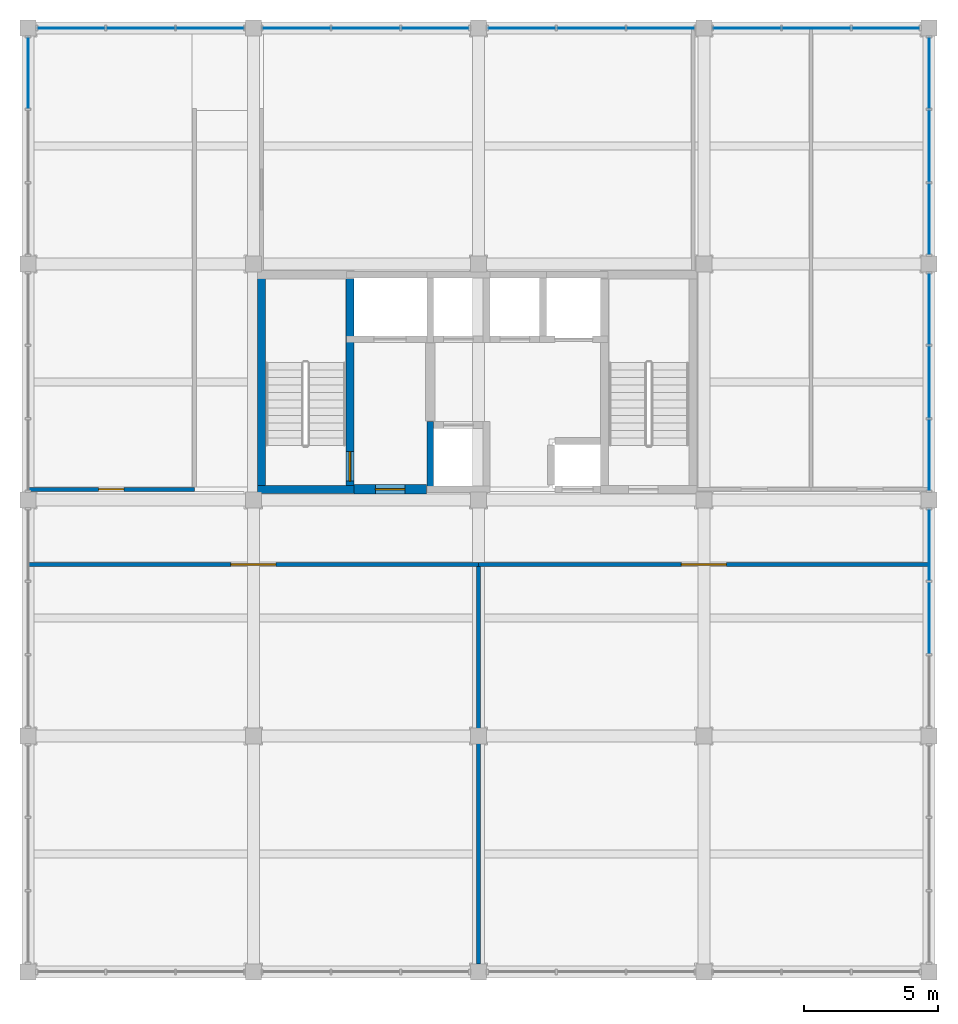
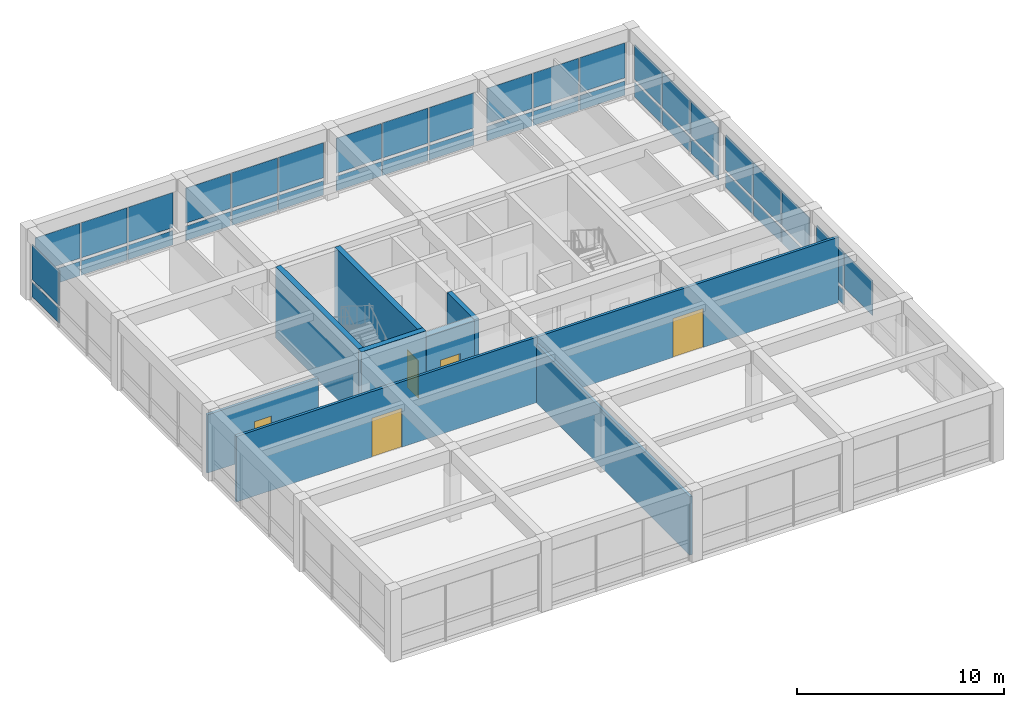
# One storey, part 9 of 14: 41 plates, 9 walls, 5 doors, 5 openings, 8 elements without a shape of their own.
"""IFC4 building model written with IfcOpenShell, lengths in metres."""

from ifc_helpers import new_model, si_unit, direction, frame, frame_2d, origin, origin_2d, place, context, subcontext, project, spatial, rectangle, extrude, material, layer, layer_set, type_object, element, fill, aggregate, save


model = new_model("IFC4")

# Units and contexts
model_context = context("Model", 3, precision=1e-05, world=origin(), true_north=direction((0.0, 1.0)))
body_context = subcontext(model_context, "Body", "Model", "MODEL_VIEW")
ifc_project = project(units=[si_unit("LENGTHUNIT", "METRE"), si_unit("AREAUNIT", "SQUARE_METRE"), si_unit("VOLUMEUNIT", "CUBIC_METRE"), si_unit("PLANEANGLEUNIT", "RADIAN"), si_unit("MASSUNIT", "GRAM", prefix="KILO")], contexts=[model_context])

# Site, building, storey
site_placement = place(None, origin())
site = spatial("IfcSite", under=ifc_project, at=site_placement, CompositionType="ELEMENT")
building_placement = place(site_placement, origin())
building = spatial("IfcBuilding", under=site, at=building_placement, Name="Kemercrest Conservatory and Botanical Centre", CompositionType="ELEMENT")
storey_placement = place(building_placement, frame((0.0, 0.0, 63.800048828125)))
storey = spatial("IfcBuildingStorey", under=building, at=storey_placement, Name="L16", CompositionType="ELEMENT", Elevation=63.800048828125)

# Curtain wall, plates
ifc_material_1 = material(Name="Thermally broken aluminium and triple low-e glazing", Category="aluminium")
curtain_wall_type_1 = type_object("IfcCurtainWallType", Name="CW-17", PredefinedType="USERDEFINED", material=ifc_material_1)
curtain_wall_1_placement = place(storey_placement, origin())
curtain_wall_1 = element("IfcCurtainWall", 1, at=curtain_wall_1_placement, inside=storey, type_object=curtain_wall_type_1, Name="Unitised curtain wall CW-17 (CW:L16:V4-166)", ObjectType="UNITISED CURTAIN WALL", PredefinedType="USERDEFINED")
ifc_material_2 = material(Name="Triple low-e argon insulated glazing unit", Category="glass")
ifc_layer_1 = layer(ifc_material_2, 0.035888671875)
ifc_layer_set_1 = layer_set([ifc_layer_1], Name="Triple low-e argon insulated glazing unit")
plate_type = type_object("IfcPlateType", Name="CW-PNL036", PredefinedType="CURTAIN_PANEL", material=ifc_layer_set_1)
plate_1_placement = place(storey_placement, frame((176.0, 100.39990234375, 1.2099609375), z_axis=(0.0, 0.0, 1.0), x_axis=(0.0, 1.0, 0.0)))
plate_1 = element("IfcPlate", 2, at=plate_1_placement, type_object=plate_type, Name="CW-17 panel 2.2", PredefinedType="CURTAIN_PANEL", context=body_context, shape_type="SweptSolid", body=[
    extrude(rectangle(XDim=2.671630859375, YDim=0.035888671875, at=origin_2d()), origin(), (0.0, 0.0, 1.0), 2.06494140625),
])
plate_2_placement = place(storey_placement, frame((176.0, 103.120361328125, 0.179931640625), z_axis=(0.0, 0.0, 1.0), x_axis=(0.0, 1.0, 0.0)))
plate_2 = element("IfcPlate", 3, at=plate_2_placement, type_object=plate_type, Name="CW-17 panel 3.1", PredefinedType="CURTAIN_PANEL", context=body_context, shape_type="SweptSolid", body=[
    extrude(rectangle(XDim=2.63916015625, YDim=0.035888671875, at=origin_2d()), origin(), (0.0, 0.0, 1.0), 0.85009765625),
])
plate_3_placement = place(storey_placement, frame((176.0, 103.120361328125, 1.2099609375), z_axis=(0.0, 0.0, 1.0), x_axis=(0.0, 1.0, 0.0)))
plate_3 = element("IfcPlate", 4, at=plate_3_placement, type_object=plate_type, Name="CW-17 panel 3.2", PredefinedType="CURTAIN_PANEL", context=body_context, shape_type="SweptSolid", body=[
    extrude(rectangle(XDim=2.63916015625, YDim=0.035888671875, at=origin_2d()), origin(), (0.0, 0.0, 1.0), 2.06494140625),
])
aggregate(curtain_wall_1, [plate_1, plate_2, plate_3])

curtain_wall_type_2 = type_object("IfcCurtainWallType", Name="CW-18", PredefinedType="USERDEFINED", material=ifc_material_1)
curtain_wall_2_placement = place(storey_placement, origin())
curtain_wall_2 = element("IfcCurtainWall", 5, at=curtain_wall_2_placement, inside=storey, type_object=curtain_wall_type_2, Name="Unitised curtain wall CW-18 (CW:L16:V4-167)", ObjectType="UNITISED CURTAIN WALL", PredefinedType="USERDEFINED")
plate_4_placement = place(storey_placement, frame((176.0, 106.4794921875, 0.179931640625), z_axis=(0.0, 0.0, 1.0), x_axis=(0.0, 1.0, 0.0)))
plate_4 = element("IfcPlate", 6, at=plate_4_placement, type_object=plate_type, Name="CW-18 panel 1.1", PredefinedType="CURTAIN_PANEL", context=body_context, shape_type="SweptSolid", body=[
    extrude(rectangle(XDim=2.63916015625, YDim=0.035888671875, at=origin_2d()), origin(), (0.0, 0.0, 1.0), 0.85009765625),
])
plate_5_placement = place(storey_placement, frame((176.0, 106.4794921875, 1.2099609375), z_axis=(0.0, 0.0, 1.0), x_axis=(0.0, 1.0, 0.0)))
plate_5 = element("IfcPlate", 7, at=plate_5_placement, type_object=plate_type, Name="CW-18 panel 1.2", PredefinedType="CURTAIN_PANEL", context=body_context, shape_type="SweptSolid", body=[
    extrude(rectangle(XDim=2.63916015625, YDim=0.035888671875, at=origin_2d()), origin(), (0.0, 0.0, 1.0), 2.06494140625),
])
plate_6_placement = place(storey_placement, frame((176.0, 109.199951171875, 0.179931640625), z_axis=(0.0, 0.0, 1.0), x_axis=(0.0, 1.0, 0.0)))
plate_6 = element("IfcPlate", 8, at=plate_6_placement, type_object=plate_type, Name="CW-18 panel 2.1", PredefinedType="CURTAIN_PANEL", context=body_context, shape_type="SweptSolid", body=[
    extrude(rectangle(XDim=2.671630859375, YDim=0.035888671875, at=origin_2d()), origin(), (0.0, 0.0, 1.0), 0.85009765625),
])
plate_7_placement = place(storey_placement, frame((176.0, 109.199951171875, 1.2099609375), z_axis=(0.0, 0.0, 1.0), x_axis=(0.0, 1.0, 0.0)))
plate_7 = element("IfcPlate", 9, at=plate_7_placement, type_object=plate_type, Name="CW-18 panel 2.2", PredefinedType="CURTAIN_PANEL", context=body_context, shape_type="SweptSolid", body=[
    extrude(rectangle(XDim=2.671630859375, YDim=0.035888671875, at=origin_2d()), origin(), (0.0, 0.0, 1.0), 2.06494140625),
])
plate_8_placement = place(storey_placement, frame((176.0, 111.92041015625, 0.179931640625), z_axis=(0.0, 0.0, 1.0), x_axis=(0.0, 1.0, 0.0)))
plate_8 = element("IfcPlate", 10, at=plate_8_placement, type_object=plate_type, Name="CW-18 panel 3.1", PredefinedType="CURTAIN_PANEL", context=body_context, shape_type="SweptSolid", body=[
    extrude(rectangle(XDim=2.63916015625, YDim=0.035888671875, at=origin_2d()), origin(), (0.0, 0.0, 1.0), 0.85009765625),
])
plate_9_placement = place(storey_placement, frame((176.0, 111.92041015625, 1.2099609375), z_axis=(0.0, 0.0, 1.0), x_axis=(0.0, 1.0, 0.0)))
plate_9 = element("IfcPlate", 11, at=plate_9_placement, type_object=plate_type, Name="CW-18 panel 3.2", PredefinedType="CURTAIN_PANEL", context=body_context, shape_type="SweptSolid", body=[
    extrude(rectangle(XDim=2.63916015625, YDim=0.035888671875, at=origin_2d()), origin(), (0.0, 0.0, 1.0), 2.06494140625),
])
aggregate(curtain_wall_2, [plate_4, plate_5, plate_6, plate_7, plate_8, plate_9])

curtain_wall_type_3 = type_object("IfcCurtainWallType", Name="CW-19", PredefinedType="USERDEFINED", material=ifc_material_1)
curtain_wall_3_placement = place(storey_placement, origin())
curtain_wall_3 = element("IfcCurtainWall", 12, at=curtain_wall_3_placement, inside=storey, type_object=curtain_wall_type_3, Name="Unitised curtain wall CW-19 (CW:L16:V4-168)", ObjectType="UNITISED CURTAIN WALL", PredefinedType="USERDEFINED")
plate_10_placement = place(storey_placement, frame((176.0, 115.279541015625, 0.179931640625), z_axis=(0.0, 0.0, 1.0), x_axis=(0.0, 1.0, 0.0)))
plate_10 = element("IfcPlate", 13, at=plate_10_placement, type_object=plate_type, Name="CW-19 panel 1.1", PredefinedType="CURTAIN_PANEL", context=body_context, shape_type="SweptSolid", body=[
    extrude(rectangle(XDim=2.63916015625, YDim=0.035888671875, at=origin_2d()), origin(), (0.0, 0.0, 1.0), 0.85009765625),
])
plate_11_placement = place(storey_placement, frame((176.0, 115.279541015625, 1.2099609375), z_axis=(0.0, 0.0, 1.0), x_axis=(0.0, 1.0, 0.0)))
plate_11 = element("IfcPlate", 14, at=plate_11_placement, type_object=plate_type, Name="CW-19 panel 1.2", PredefinedType="CURTAIN_PANEL", context=body_context, shape_type="SweptSolid", body=[
    extrude(rectangle(XDim=2.63916015625, YDim=0.035888671875, at=origin_2d()), origin(), (0.0, 0.0, 1.0), 2.06494140625),
])
plate_12_placement = place(storey_placement, frame((176.0, 118.0, 0.179931640625), z_axis=(0.0, 0.0, 1.0), x_axis=(0.0, 1.0, 0.0)))
plate_12 = element("IfcPlate", 15, at=plate_12_placement, type_object=plate_type, Name="CW-19 panel 2.1", PredefinedType="CURTAIN_PANEL", context=body_context, shape_type="SweptSolid", body=[
    extrude(rectangle(XDim=2.671630859375, YDim=0.035888671875, at=origin_2d()), origin(), (0.0, 0.0, 1.0), 0.85009765625),
])
plate_13_placement = place(storey_placement, frame((176.0, 118.0, 1.2099609375), z_axis=(0.0, 0.0, 1.0), x_axis=(0.0, 1.0, 0.0)))
plate_13 = element("IfcPlate", 16, at=plate_13_placement, type_object=plate_type, Name="CW-19 panel 2.2", PredefinedType="CURTAIN_PANEL", context=body_context, shape_type="SweptSolid", body=[
    extrude(rectangle(XDim=2.671630859375, YDim=0.035888671875, at=origin_2d()), origin(), (0.0, 0.0, 1.0), 2.06494140625),
])
plate_14_placement = place(storey_placement, frame((176.0, 120.720458984375, 0.179931640625), z_axis=(0.0, 0.0, 1.0), x_axis=(0.0, 1.0, 0.0)))
plate_14 = element("IfcPlate", 17, at=plate_14_placement, type_object=plate_type, Name="CW-19 panel 3.1", PredefinedType="CURTAIN_PANEL", context=body_context, shape_type="SweptSolid", body=[
    extrude(rectangle(XDim=2.63916015625, YDim=0.035888671875, at=origin_2d()), origin(), (0.0, 0.0, 1.0), 0.85009765625),
])
plate_15_placement = place(storey_placement, frame((176.0, 120.720458984375, 1.2099609375), z_axis=(0.0, 0.0, 1.0), x_axis=(0.0, 1.0, 0.0)))
plate_15 = element("IfcPlate", 18, at=plate_15_placement, type_object=plate_type, Name="CW-19 panel 3.2", PredefinedType="CURTAIN_PANEL", context=body_context, shape_type="SweptSolid", body=[
    extrude(rectangle(XDim=2.63916015625, YDim=0.035888671875, at=origin_2d()), origin(), (0.0, 0.0, 1.0), 2.06494140625),
])
aggregate(curtain_wall_3, [plate_10, plate_11, plate_12, plate_13, plate_14, plate_15])

curtain_wall_type_4 = type_object("IfcCurtainWallType", Name="CW-20", PredefinedType="USERDEFINED", material=ifc_material_1)
curtain_wall_4_placement = place(storey_placement, origin())
curtain_wall_4 = element("IfcCurtainWall", 19, at=curtain_wall_4_placement, inside=storey, type_object=curtain_wall_type_4, Name="Unitised curtain wall CW-20 (CW:L16:V4-169)", ObjectType="UNITISED CURTAIN WALL", PredefinedType="USERDEFINED")
plate_16_placement = place(storey_placement, frame((174.386962890625, 122.39990234375, 0.179931640625), z_axis=(0.0, 0.0, 1.0), x_axis=(-1.0, 0.0, 0.0)))
plate_16 = element("IfcPlate", 20, at=plate_16_placement, type_object=plate_type, Name="CW-20 panel 1.1", PredefinedType="CURTAIN_PANEL", context=body_context, shape_type="SweptSolid", body=[
    extrude(rectangle(XDim=2.505859375, YDim=0.035888671875, at=origin_2d()), origin(), (0.0, 0.0, 1.0), 0.85009765625),
])
plate_17_placement = place(storey_placement, frame((174.386962890625, 122.39990234375, 1.2099609375), z_axis=(0.0, 0.0, 1.0), x_axis=(-1.0, 0.0, 0.0)))
plate_17 = element("IfcPlate", 21, at=plate_17_placement, type_object=plate_type, Name="CW-20 panel 1.2", PredefinedType="CURTAIN_PANEL", context=body_context, shape_type="SweptSolid", body=[
    extrude(rectangle(XDim=2.505859375, YDim=0.035888671875, at=origin_2d()), origin(), (0.0, 0.0, 1.0), 2.06494140625),
])
plate_18_placement = place(storey_placement, frame((171.800048828125, 122.39990234375, 0.179931640625), z_axis=(0.0, 0.0, 1.0), x_axis=(-1.0, 0.0, 0.0)))
plate_18 = element("IfcPlate", 22, at=plate_18_placement, type_object=plate_type, Name="CW-20 panel 2.1", PredefinedType="CURTAIN_PANEL", context=body_context, shape_type="SweptSolid", body=[
    extrude(rectangle(XDim=2.538330078125, YDim=0.035888671875, at=origin_2d()), origin(), (0.0, 0.0, 1.0), 0.85009765625),
])
plate_19_placement = place(storey_placement, frame((171.800048828125, 122.39990234375, 1.2099609375), z_axis=(0.0, 0.0, 1.0), x_axis=(-1.0, 0.0, 0.0)))
plate_19 = element("IfcPlate", 23, at=plate_19_placement, type_object=plate_type, Name="CW-20 panel 2.2", PredefinedType="CURTAIN_PANEL", context=body_context, shape_type="SweptSolid", body=[
    extrude(rectangle(XDim=2.538330078125, YDim=0.035888671875, at=origin_2d()), origin(), (0.0, 0.0, 1.0), 2.06494140625),
])
plate_20_placement = place(storey_placement, frame((169.212890625, 122.39990234375, 0.179931640625), z_axis=(0.0, 0.0, 1.0), x_axis=(-1.0, 0.0, 0.0)))
plate_20 = element("IfcPlate", 24, at=plate_20_placement, type_object=plate_type, Name="CW-20 panel 3.1", PredefinedType="CURTAIN_PANEL", context=body_context, shape_type="SweptSolid", body=[
    extrude(rectangle(XDim=2.505859375, YDim=0.035888671875, at=origin_2d()), origin(), (0.0, 0.0, 1.0), 0.85009765625),
])
plate_21_placement = place(storey_placement, frame((169.212890625, 122.39990234375, 1.2099609375), z_axis=(0.0, 0.0, 1.0), x_axis=(-1.0, 0.0, 0.0)))
plate_21 = element("IfcPlate", 25, at=plate_21_placement, type_object=plate_type, Name="CW-20 panel 3.2", PredefinedType="CURTAIN_PANEL", context=body_context, shape_type="SweptSolid", body=[
    extrude(rectangle(XDim=2.505859375, YDim=0.035888671875, at=origin_2d()), origin(), (0.0, 0.0, 1.0), 2.06494140625),
])
aggregate(curtain_wall_4, [plate_16, plate_17, plate_18, plate_19, plate_20, plate_21])

curtain_wall_type_5 = type_object("IfcCurtainWallType", Name="CW-21", PredefinedType="USERDEFINED", material=ifc_material_1)
curtain_wall_5_placement = place(storey_placement, origin())
curtain_wall_5 = element("IfcCurtainWall", 26, at=curtain_wall_5_placement, inside=storey, type_object=curtain_wall_type_5, Name="Unitised curtain wall CW-21 (CW:L16:V4-170)", ObjectType="UNITISED CURTAIN WALL", PredefinedType="USERDEFINED")
plate_22_placement = place(storey_placement, frame((165.987060546875, 122.39990234375, 0.179931640625), z_axis=(0.0, 0.0, 1.0), x_axis=(-1.0, 0.0, 0.0)))
plate_22 = element("IfcPlate", 27, at=plate_22_placement, type_object=plate_type, Name="CW-21 panel 1.1", PredefinedType="CURTAIN_PANEL", context=body_context, shape_type="SweptSolid", body=[
    extrude(rectangle(XDim=2.505859375, YDim=0.035888671875, at=origin_2d()), origin(), (0.0, 0.0, 1.0), 0.85009765625),
])
plate_23_placement = place(storey_placement, frame((165.987060546875, 122.39990234375, 1.2099609375), z_axis=(0.0, 0.0, 1.0), x_axis=(-1.0, 0.0, 0.0)))
plate_23 = element("IfcPlate", 28, at=plate_23_placement, type_object=plate_type, Name="CW-21 panel 1.2", PredefinedType="CURTAIN_PANEL", context=body_context, shape_type="SweptSolid", body=[
    extrude(rectangle(XDim=2.505859375, YDim=0.035888671875, at=origin_2d()), origin(), (0.0, 0.0, 1.0), 2.06494140625),
])
plate_24_placement = place(storey_placement, frame((163.39990234375, 122.39990234375, 0.179931640625), z_axis=(0.0, 0.0, 1.0), x_axis=(-1.0, 0.0, 0.0)))
plate_24 = element("IfcPlate", 29, at=plate_24_placement, type_object=plate_type, Name="CW-21 panel 2.1", PredefinedType="CURTAIN_PANEL", context=body_context, shape_type="SweptSolid", body=[
    extrude(rectangle(XDim=2.538330078125, YDim=0.035888671875, at=origin_2d()), origin(), (0.0, 0.0, 1.0), 0.85009765625),
])
plate_25_placement = place(storey_placement, frame((163.39990234375, 122.39990234375, 1.2099609375), z_axis=(0.0, 0.0, 1.0), x_axis=(-1.0, 0.0, 0.0)))
plate_25 = element("IfcPlate", 30, at=plate_25_placement, type_object=plate_type, Name="CW-21 panel 2.2", PredefinedType="CURTAIN_PANEL", context=body_context, shape_type="SweptSolid", body=[
    extrude(rectangle(XDim=2.538330078125, YDim=0.035888671875, at=origin_2d()), origin(), (0.0, 0.0, 1.0), 2.06494140625),
])
plate_26_placement = place(storey_placement, frame((160.81298828125, 122.39990234375, 0.179931640625), z_axis=(0.0, 0.0, 1.0), x_axis=(-1.0, 0.0, 0.0)))
plate_26 = element("IfcPlate", 31, at=plate_26_placement, type_object=plate_type, Name="CW-21 panel 3.1", PredefinedType="CURTAIN_PANEL", context=body_context, shape_type="SweptSolid", body=[
    extrude(rectangle(XDim=2.505859375, YDim=0.035888671875, at=origin_2d()), origin(), (0.0, 0.0, 1.0), 0.85009765625),
])
plate_27_placement = place(storey_placement, frame((160.81298828125, 122.39990234375, 1.2099609375), z_axis=(0.0, 0.0, 1.0), x_axis=(-1.0, 0.0, 0.0)))
plate_27 = element("IfcPlate", 32, at=plate_27_placement, type_object=plate_type, Name="CW-21 panel 3.2", PredefinedType="CURTAIN_PANEL", context=body_context, shape_type="SweptSolid", body=[
    extrude(rectangle(XDim=2.505859375, YDim=0.035888671875, at=origin_2d()), origin(), (0.0, 0.0, 1.0), 2.06494140625),
])
aggregate(curtain_wall_5, [plate_22, plate_23, plate_24, plate_25, plate_26, plate_27])

curtain_wall_type_6 = type_object("IfcCurtainWallType", Name="CW-22", PredefinedType="USERDEFINED", material=ifc_material_1)
curtain_wall_6_placement = place(storey_placement, origin())
curtain_wall_6 = element("IfcCurtainWall", 33, at=curtain_wall_6_placement, inside=storey, type_object=curtain_wall_type_6, Name="Unitised curtain wall CW-22 (CW:L16:V4-171)", ObjectType="UNITISED CURTAIN WALL", PredefinedType="USERDEFINED")
plate_28_placement = place(storey_placement, frame((157.587158203125, 122.39990234375, 0.179931640625), z_axis=(0.0, 0.0, 1.0), x_axis=(-1.0, 0.0, 0.0)))
plate_28 = element("IfcPlate", 34, at=plate_28_placement, type_object=plate_type, Name="CW-22 panel 1.1", PredefinedType="CURTAIN_PANEL", context=body_context, shape_type="SweptSolid", body=[
    extrude(rectangle(XDim=2.505859375, YDim=0.035888671875, at=origin_2d()), origin(), (0.0, 0.0, 1.0), 0.85009765625),
])
plate_29_placement = place(storey_placement, frame((157.587158203125, 122.39990234375, 1.2099609375), z_axis=(0.0, 0.0, 1.0), x_axis=(-1.0, 0.0, 0.0)))
plate_29 = element("IfcPlate", 35, at=plate_29_placement, type_object=plate_type, Name="CW-22 panel 1.2", PredefinedType="CURTAIN_PANEL", context=body_context, shape_type="SweptSolid", body=[
    extrude(rectangle(XDim=2.505859375, YDim=0.035888671875, at=origin_2d()), origin(), (0.0, 0.0, 1.0), 2.06494140625),
])
plate_30_placement = place(storey_placement, frame((155.0, 122.39990234375, 0.179931640625), z_axis=(0.0, 0.0, 1.0), x_axis=(-1.0, 0.0, 0.0)))
plate_30 = element("IfcPlate", 36, at=plate_30_placement, type_object=plate_type, Name="CW-22 panel 2.1", PredefinedType="CURTAIN_PANEL", context=body_context, shape_type="SweptSolid", body=[
    extrude(rectangle(XDim=2.538330078125, YDim=0.035888671875, at=origin_2d()), origin(), (0.0, 0.0, 1.0), 0.85009765625),
])
plate_31_placement = place(storey_placement, frame((155.0, 122.39990234375, 1.2099609375), z_axis=(0.0, 0.0, 1.0), x_axis=(-1.0, 0.0, 0.0)))
plate_31 = element("IfcPlate", 37, at=plate_31_placement, type_object=plate_type, Name="CW-22 panel 2.2", PredefinedType="CURTAIN_PANEL", context=body_context, shape_type="SweptSolid", body=[
    extrude(rectangle(XDim=2.538330078125, YDim=0.035888671875, at=origin_2d()), origin(), (0.0, 0.0, 1.0), 2.06494140625),
])
plate_32_placement = place(storey_placement, frame((152.412841796875, 122.39990234375, 0.179931640625), z_axis=(0.0, 0.0, 1.0), x_axis=(-1.0, 0.0, 0.0)))
plate_32 = element("IfcPlate", 38, at=plate_32_placement, type_object=plate_type, Name="CW-22 panel 3.1", PredefinedType="CURTAIN_PANEL", context=body_context, shape_type="SweptSolid", body=[
    extrude(rectangle(XDim=2.505859375, YDim=0.035888671875, at=origin_2d()), origin(), (0.0, 0.0, 1.0), 0.85009765625),
])
plate_33_placement = place(storey_placement, frame((152.412841796875, 122.39990234375, 1.2099609375), z_axis=(0.0, 0.0, 1.0), x_axis=(-1.0, 0.0, 0.0)))
plate_33 = element("IfcPlate", 39, at=plate_33_placement, type_object=plate_type, Name="CW-22 panel 3.2", PredefinedType="CURTAIN_PANEL", context=body_context, shape_type="SweptSolid", body=[
    extrude(rectangle(XDim=2.505859375, YDim=0.035888671875, at=origin_2d()), origin(), (0.0, 0.0, 1.0), 2.06494140625),
])
aggregate(curtain_wall_6, [plate_28, plate_29, plate_30, plate_31, plate_32, plate_33])

curtain_wall_type_7 = type_object("IfcCurtainWallType", Name="CW-23", PredefinedType="USERDEFINED", material=ifc_material_1)
curtain_wall_7_placement = place(storey_placement, origin())
curtain_wall_7 = element("IfcCurtainWall", 40, at=curtain_wall_7_placement, inside=storey, type_object=curtain_wall_type_7, Name="Unitised curtain wall CW-23 (CW:L16:V4-172)", ObjectType="UNITISED CURTAIN WALL", PredefinedType="USERDEFINED")
plate_34_placement = place(storey_placement, frame((149.18701171875, 122.39990234375, 0.179931640625), z_axis=(0.0, 0.0, 1.0), x_axis=(-1.0, 0.0, 0.0)))
plate_34 = element("IfcPlate", 41, at=plate_34_placement, type_object=plate_type, Name="CW-23 panel 1.1", PredefinedType="CURTAIN_PANEL", context=body_context, shape_type="SweptSolid", body=[
    extrude(rectangle(XDim=2.505859375, YDim=0.035888671875, at=origin_2d()), origin(), (0.0, 0.0, 1.0), 0.85009765625),
])
plate_35_placement = place(storey_placement, frame((149.18701171875, 122.39990234375, 1.2099609375), z_axis=(0.0, 0.0, 1.0), x_axis=(-1.0, 0.0, 0.0)))
plate_35 = element("IfcPlate", 42, at=plate_35_placement, type_object=plate_type, Name="CW-23 panel 1.2", PredefinedType="CURTAIN_PANEL", context=body_context, shape_type="SweptSolid", body=[
    extrude(rectangle(XDim=2.505859375, YDim=0.035888671875, at=origin_2d()), origin(), (0.0, 0.0, 1.0), 2.06494140625),
])
plate_36_placement = place(storey_placement, frame((146.60009765625, 122.39990234375, 0.179931640625), z_axis=(0.0, 0.0, 1.0), x_axis=(-1.0, 0.0, 0.0)))
plate_36 = element("IfcPlate", 43, at=plate_36_placement, type_object=plate_type, Name="CW-23 panel 2.1", PredefinedType="CURTAIN_PANEL", context=body_context, shape_type="SweptSolid", body=[
    extrude(rectangle(XDim=2.538330078125, YDim=0.035888671875, at=origin_2d()), origin(), (0.0, 0.0, 1.0), 0.85009765625),
])
plate_37_placement = place(storey_placement, frame((146.60009765625, 122.39990234375, 1.2099609375), z_axis=(0.0, 0.0, 1.0), x_axis=(-1.0, 0.0, 0.0)))
plate_37 = element("IfcPlate", 44, at=plate_37_placement, type_object=plate_type, Name="CW-23 panel 2.2", PredefinedType="CURTAIN_PANEL", context=body_context, shape_type="SweptSolid", body=[
    extrude(rectangle(XDim=2.538330078125, YDim=0.035888671875, at=origin_2d()), origin(), (0.0, 0.0, 1.0), 2.06494140625),
])
plate_38_placement = place(storey_placement, frame((144.012939453125, 122.39990234375, 0.179931640625), z_axis=(0.0, 0.0, 1.0), x_axis=(-1.0, 0.0, 0.0)))
plate_38 = element("IfcPlate", 45, at=plate_38_placement, type_object=plate_type, Name="CW-23 panel 3.1", PredefinedType="CURTAIN_PANEL", context=body_context, shape_type="SweptSolid", body=[
    extrude(rectangle(XDim=2.505859375, YDim=0.035888671875, at=origin_2d()), origin(), (0.0, 0.0, 1.0), 0.85009765625),
])
plate_39_placement = place(storey_placement, frame((144.012939453125, 122.39990234375, 1.2099609375), z_axis=(0.0, 0.0, 1.0), x_axis=(-1.0, 0.0, 0.0)))
plate_39 = element("IfcPlate", 46, at=plate_39_placement, type_object=plate_type, Name="CW-23 panel 3.2", PredefinedType="CURTAIN_PANEL", context=body_context, shape_type="SweptSolid", body=[
    extrude(rectangle(XDim=2.505859375, YDim=0.035888671875, at=origin_2d()), origin(), (0.0, 0.0, 1.0), 2.06494140625),
])
aggregate(curtain_wall_7, [plate_34, plate_35, plate_36, plate_37, plate_38, plate_39])

curtain_wall_type_8 = type_object("IfcCurtainWallType", Name="CW-24", PredefinedType="USERDEFINED", material=ifc_material_1)
curtain_wall_8_placement = place(storey_placement, origin())
curtain_wall_8 = element("IfcCurtainWall", 47, at=curtain_wall_8_placement, inside=storey, type_object=curtain_wall_type_8, Name="Unitised curtain wall CW-24 (CW:L16:V4-173)", ObjectType="UNITISED CURTAIN WALL", PredefinedType="USERDEFINED")
plate_40_placement = place(storey_placement, frame((142.39990234375, 120.720458984375, 0.179931640625), z_axis=(0.0, 0.0, 1.0), x_axis=(0.0, -1.0, 0.0)))
plate_40 = element("IfcPlate", 48, at=plate_40_placement, type_object=plate_type, Name="CW-24 panel 1.1", PredefinedType="CURTAIN_PANEL", context=body_context, shape_type="SweptSolid", body=[
    extrude(rectangle(XDim=2.63916015625, YDim=0.035888671875, at=origin_2d()), origin(), (0.0, 0.0, 1.0), 0.85009765625),
])
plate_41_placement = place(storey_placement, frame((142.39990234375, 120.720458984375, 1.2099609375), z_axis=(0.0, 0.0, 1.0), x_axis=(0.0, -1.0, 0.0)))
plate_41 = element("IfcPlate", 49, at=plate_41_placement, type_object=plate_type, Name="CW-24 panel 1.2", PredefinedType="CURTAIN_PANEL", context=body_context, shape_type="SweptSolid", body=[
    extrude(rectangle(XDim=2.63916015625, YDim=0.035888671875, at=origin_2d()), origin(), (0.0, 0.0, 1.0), 2.06494140625),
])
aggregate(curtain_wall_8, [plate_40, plate_41])

# Wall, opening, door
ifc_material_3 = material(Name="Concrete C50/60", Category="concrete")
ifc_layer_2 = layer(ifc_material_3, 0.35009765625)
ifc_layer_set_2 = layer_set([ifc_layer_2], Name="Concrete C50/60")
wall_type_1 = type_object("IfcWallType", Name="CW-CORE", PredefinedType="SHEAR", material=ifc_layer_set_2)
wall_1_placement = place(storey_placement, frame((154.550048828125, 105.199951171875, 0.0), z_axis=(0.0, 0.0, 1.0), x_axis=(1.0, 0.0, 0.0)))
wall_1 = element("IfcWall", 50, at=wall_1_placement, inside=storey, type_object=wall_type_1, Name="Firefighting lift lobby south shear wall", PredefinedType="SHEAR", context=body_context, shape_type="SweptSolid", body=[
    extrude(rectangle(XDim=2.699951171875, YDim=0.35009765625, at=frame_2d((1.35009765625, 0.0))), origin(), (0.0, 0.0, 1.0), 3.8798828125),
])
opening_1_placement = place(wall_1_placement, frame((0.800048828125, 0.0, 0.0)))
opening_1 = element("IfcOpeningElement", 51, at=opening_1_placement, cuts=wall_1, Name="Opening D103", PredefinedType="OPENING", context=body_context, shape_type="SweptSolid", body=[
    extrude(rectangle(XDim=1.10009765625, YDim=2.199951171875, at=frame_2d((0.550048828125, 1.10009765625))), frame((0.0, 0.18505859375, 0.0), z_axis=(0.0, -1.0, 0.0), x_axis=(1.0, 0.0, 0.0)), (0.0, 0.0, 1.0), 0.3701171875),
])
ifc_material_4 = material(Name="Powder-coated galvanized steel and fire-rated vision glass", Category="steel")
door_type_1 = type_object("IfcDoorType", Name="DT-FD90", OperationType="NOTDEFINED", PredefinedType="DOOR", material=ifc_material_4)
door_1_placement = place(opening_1_placement, origin())
door_1 = element("IfcDoor", 52, at=door_1_placement, inside=storey, type_object=door_type_1, Name="Firefighting lift lobby corridor fire door D103", OperationType="SINGLE_SWING_LEFT", OverallHeight=2.199951171875, OverallWidth=1.10009765625, PredefinedType="DOOR", context=body_context, shape_type="SweptSolid", body=[
    extrude(rectangle(XDim=1.10009765625, YDim=2.199951171875, at=frame_2d((0.550048828125, 1.10009765625))), frame((0.0, 0.02490234375, 0.0), z_axis=(0.0, -1.0, 0.0), x_axis=(1.0, 0.0, 0.0)), (0.0, 0.0, 1.0), 0.050048828125),
])
fill(opening_1, door_1)

# Walls
ifc_layer_3 = layer(ifc_material_3, 0.300048828125)
ifc_layer_set_3 = layer_set([ifc_layer_3], Name="Concrete C50/60")
wall_type_2 = type_object("IfcWallType", Name="CW-STAIR", PredefinedType="SHEAR", material=ifc_layer_set_3)
wall_2_placement = place(storey_placement, frame((150.949951171875, 105.199951171875, 0.0), z_axis=(0.0, 0.0, 1.0), x_axis=(1.0, 0.0, 0.0)))
element("IfcWall", 53, at=wall_2_placement, inside=storey, type_object=wall_type_2, Name="Stair core ST-V4A shear wall S", PredefinedType="SHEAR", context=body_context, shape_type="SweptSolid", body=[
    extrude(rectangle(XDim=3.60009765625, YDim=0.300048828125, at=frame_2d((1.800048828125, 0.0))), origin(), (0.0, 0.0, 1.0), 4.199951171875),
])
wall_3_placement = place(storey_placement, frame((151.10009765625, 105.050048828125, 0.0), z_axis=(0.0, 0.0, 1.0), x_axis=(0.0, 1.0, 0.0)))
element("IfcWall", 54, at=wall_3_placement, inside=storey, type_object=wall_type_2, Name="Stair core ST-V4A shear wall W", PredefinedType="SHEAR", context=body_context, shape_type="SweptSolid", body=[
    extrude(rectangle(XDim=8.300048828125, YDim=0.300048828125, at=frame_2d((4.14990234375, 0.0))), origin(), (0.0, 0.0, 1.0), 4.199951171875),
])

# Wall, opening, door
wall_4_placement = place(storey_placement, frame((154.39990234375, 105.050048828125, 0.0), z_axis=(0.0, 0.0, 1.0), x_axis=(0.0, 1.0, 0.0)))
wall_4 = element("IfcWall", 55, at=wall_4_placement, inside=storey, type_object=wall_type_2, Name="Stair core ST-V4A shear wall E", PredefinedType="SHEAR", context=body_context, shape_type="SweptSolid", body=[
    extrude(rectangle(XDim=8.300048828125, YDim=0.300048828125, at=frame_2d((4.14990234375, 0.0))), origin(), (0.0, 0.0, 1.0), 4.199951171875),
])
opening_2_placement = place(wall_4_placement, frame((0.449951171875, 0.0, 0.0)))
opening_2 = element("IfcOpeningElement", 56, at=opening_2_placement, cuts=wall_4, Name="Opening D042", PredefinedType="OPENING", context=body_context, shape_type="SweptSolid", body=[
    extrude(rectangle(XDim=1.10009765625, YDim=2.199951171875, at=frame_2d((0.550048828125, 1.10009765625))), frame((0.0, 0.16015625, 0.0), z_axis=(0.0, -1.0, 0.0), x_axis=(1.0, 0.0, 0.0)), (0.0, 0.0, 1.0), 0.320068359375),
])
door_2_placement = place(opening_2_placement, frame((1.10009765625, 0.0, 0.0), z_axis=(0.0, 0.0, 1.0), x_axis=(-1.0, 0.0, 0.0)))
door_2 = element("IfcDoor", 57, at=door_2_placement, inside=storey, type_object=door_type_1, Name="Exit stair ST-V4A fire door D042", OperationType="SINGLE_SWING_RIGHT", OverallHeight=2.199951171875, OverallWidth=1.10009765625, PredefinedType="DOOR", context=body_context, shape_type="SweptSolid", body=[
    extrude(rectangle(XDim=1.10009765625, YDim=2.199951171875, at=frame_2d((0.550048828125, 1.10009765625))), frame((0.0, 0.02490234375, 0.0), z_axis=(0.0, -1.0, 0.0), x_axis=(1.0, 0.0, 0.0)), (0.0, 0.0, 1.0), 0.050048828125),
])
fill(opening_2, door_2)

ifc_material_5 = material(Name="Steel-stud gypsum board partition", Category="steel")
ifc_layer_4 = layer(ifc_material_5, 0.14990234375)
ifc_layer_set_4 = layer_set([ifc_layer_4], Name="Steel-stud gypsum board partition")
wall_type_3 = type_object("IfcWallType", Name="W-PART150", PredefinedType="PARTITIONING", material=ifc_layer_set_4)
wall_5_placement = place(storey_placement, frame((142.39990234375, 102.39990234375, 0.0), z_axis=(0.0, 0.0, 1.0), x_axis=(1.0, 0.0, 0.0)))
wall_5 = element("IfcWall", 58, at=wall_5_placement, inside=storey, type_object=wall_type_3, Name="Interior partition W-PART150 #312", PredefinedType="PARTITIONING", context=body_context, shape_type="SweptSolid", body=[
    extrude(rectangle(XDim=16.800048828125, YDim=0.14990234375, at=frame_2d((8.39990234375, 0.0))), origin(), (0.0, 0.0, 1.0), 3.864990234375),
])
opening_3_placement = place(wall_5_placement, frame((7.56005859375, 0.0, 0.0)))
opening_3 = element("IfcOpeningElement", 59, at=opening_3_placement, cuts=wall_5, Name="Opening D283", PredefinedType="OPENING", context=body_context, shape_type="SweptSolid", body=[
    extrude(rectangle(XDim=1.679931640625, YDim=2.300048828125, at=frame_2d((0.83984375, 1.14990234375))), frame((0.0, 0.0849609375, 0.0), z_axis=(0.0, -1.0, 0.0), x_axis=(1.0, 0.0, 0.0)), (0.0, 0.0, 1.0), 0.169921875),
])
ifc_material_6 = material(Name="FSC solid-core white oak veneer and anodized aluminium frame", Category="aluminium")
door_type_2 = type_object("IfcDoorType", Name="DT-11", OperationType="DOUBLE_DOOR_SINGLE_SWING", PredefinedType="DOOR", material=ifc_material_6)
door_3_placement = place(opening_3_placement, origin())
door_3 = element("IfcDoor", 60, at=door_3_placement, inside=storey, type_object=door_type_2, Name="Harbour Observatory door D283", OperationType="DOUBLE_DOOR_SINGLE_SWING", OverallHeight=2.300048828125, OverallWidth=1.679931640625, PredefinedType="DOOR", context=body_context, shape_type="SweptSolid", body=[
    extrude(rectangle(XDim=1.679931640625, YDim=2.300048828125, at=frame_2d((0.83984375, 1.14990234375))), frame((0.0, 0.02490234375, 0.0), z_axis=(0.0, -1.0, 0.0), x_axis=(1.0, 0.0, 0.0)), (0.0, 0.0, 1.0), 0.050048828125),
])
fill(opening_3, door_3)

wall_6_placement = place(storey_placement, frame((159.199951171875, 102.39990234375, 0.0), z_axis=(0.0, 0.0, 1.0), x_axis=(1.0, 0.0, 0.0)))
wall_6 = element("IfcWall", 61, at=wall_6_placement, inside=storey, type_object=wall_type_3, Name="Interior partition W-PART150 #313", PredefinedType="PARTITIONING", context=body_context, shape_type="SweptSolid", body=[
    extrude(rectangle(XDim=16.800048828125, YDim=0.14990234375, at=frame_2d((8.39990234375, 0.0))), origin(), (0.0, 0.0, 1.0), 3.864990234375),
])
opening_4_placement = place(wall_6_placement, frame((7.56005859375, 0.0, 0.0)))
opening_4 = element("IfcOpeningElement", 62, at=opening_4_placement, cuts=wall_6, Name="Opening D284", PredefinedType="OPENING", context=body_context, shape_type="SweptSolid", body=[
    extrude(rectangle(XDim=1.679931640625, YDim=2.300048828125, at=frame_2d((0.83984375, 1.14990234375))), frame((0.0, 0.0849609375, 0.0), z_axis=(0.0, -1.0, 0.0), x_axis=(1.0, 0.0, 0.0)), (0.0, 0.0, 1.0), 0.169921875),
])
door_4_placement = place(opening_4_placement, origin())
door_4 = element("IfcDoor", 63, at=door_4_placement, inside=storey, type_object=door_type_2, Name="Sky Botanical Cafe door D284", OperationType="DOUBLE_DOOR_SINGLE_SWING", OverallHeight=2.300048828125, OverallWidth=1.679931640625, PredefinedType="DOOR", context=body_context, shape_type="SweptSolid", body=[
    extrude(rectangle(XDim=1.679931640625, YDim=2.300048828125, at=frame_2d((0.83984375, 1.14990234375))), frame((0.0, 0.02490234375, 0.0), z_axis=(0.0, -1.0, 0.0), x_axis=(1.0, 0.0, 0.0)), (0.0, 0.0, 1.0), 0.050048828125),
])
fill(opening_4, door_4)

wall_7_placement = place(storey_placement, frame((142.39990234375, 105.199951171875, 0.0), z_axis=(0.0, 0.0, 1.0), x_axis=(1.0, 0.0, 0.0)))
wall_7 = element("IfcWall", 64, at=wall_7_placement, inside=storey, type_object=wall_type_3, Name="Interior partition W-PART150 #314", PredefinedType="PARTITIONING", context=body_context, shape_type="SweptSolid", body=[
    extrude(rectangle(XDim=6.2001953125, YDim=0.14990234375, at=frame_2d((3.10009765625, 0.0))), origin(), (0.0, 0.0, 1.0), 3.445068359375),
])
opening_5_placement = place(wall_7_placement, frame((2.6298828125, 0.0, 0.0)))
opening_5 = element("IfcOpeningElement", 65, at=opening_5_placement, cuts=wall_7, Name="Opening D285", PredefinedType="OPENING", context=body_context, shape_type="SweptSolid", body=[
    extrude(rectangle(XDim=0.93994140625, YDim=2.1201171875, at=frame_2d((0.469970703125, 1.06005859375))), frame((0.0, 0.0849609375, 0.0), z_axis=(0.0, -1.0, 0.0), x_axis=(1.0, 0.0, 0.0)), (0.0, 0.0, 1.0), 0.169921875),
])
door_type_3 = type_object("IfcDoorType", Name="DT-33", OperationType="NOTDEFINED", PredefinedType="DOOR", material=ifc_material_6)
door_5_placement = place(opening_5_placement, origin())
door_5 = element("IfcDoor", 66, at=door_5_placement, inside=storey, type_object=door_type_3, Name="Botanical Reading Lounge door D285", OperationType="SINGLE_SWING_LEFT", OverallHeight=2.1201171875, OverallWidth=0.93994140625, PredefinedType="DOOR", context=body_context, shape_type="SweptSolid", body=[
    extrude(rectangle(XDim=0.93994140625, YDim=2.1201171875, at=frame_2d((0.469970703125, 1.06005859375))), frame((0.0, 0.02490234375, 0.0), z_axis=(0.0, -1.0, 0.0), x_axis=(1.0, 0.0, 0.0)), (0.0, 0.0, 1.0), 0.050048828125),
])
fill(opening_5, door_5)

# Walls
wall_8_placement = place(storey_placement, frame((159.199951171875, 87.5, 0.0), z_axis=(0.0, 0.0, 1.0), x_axis=(0.0, 1.0, 0.0)))
element("IfcWall", 67, at=wall_8_placement, inside=storey, type_object=wall_type_3, Name="Interior partition W-PART150 #319", PredefinedType="PARTITIONING", context=body_context, shape_type="SweptSolid", body=[
    extrude(rectangle(XDim=14.820068359375, YDim=0.14990234375, at=frame_2d((7.41015625, 0.0))), origin(), (0.0, 0.0, 1.0), 3.445068359375),
])
ifc_material_7 = material(Name="Concrete C40/50", Category="concrete")
ifc_layer_5 = layer(ifc_material_7, 0.25)
ifc_layer_set_5 = layer_set([ifc_layer_5], Name="Concrete C40/50")
wall_type_4 = type_object("IfcWallType", Name="W-SHFT250", PredefinedType="SOLIDWALL", material=ifc_layer_set_5)
wall_9_placement = place(storey_placement, frame((157.39990234375, 105.074951171875, 0.0), z_axis=(0.0, 0.0, 1.0), x_axis=(0.0, 1.0, 0.0)))
element("IfcWall", 68, at=wall_9_placement, inside=storey, type_object=wall_type_4, Name="Elevator LF-P3 shaft wall west", PredefinedType="SOLIDWALL", context=body_context, shape_type="SweptSolid", body=[
    extrude(rectangle(XDim=2.650146484375, YDim=0.25, at=frame_2d((1.3251953125, 0.0))), origin(), (0.0, 0.0, 1.0), 3.8798828125),
])

save(model, "model.ifc")
